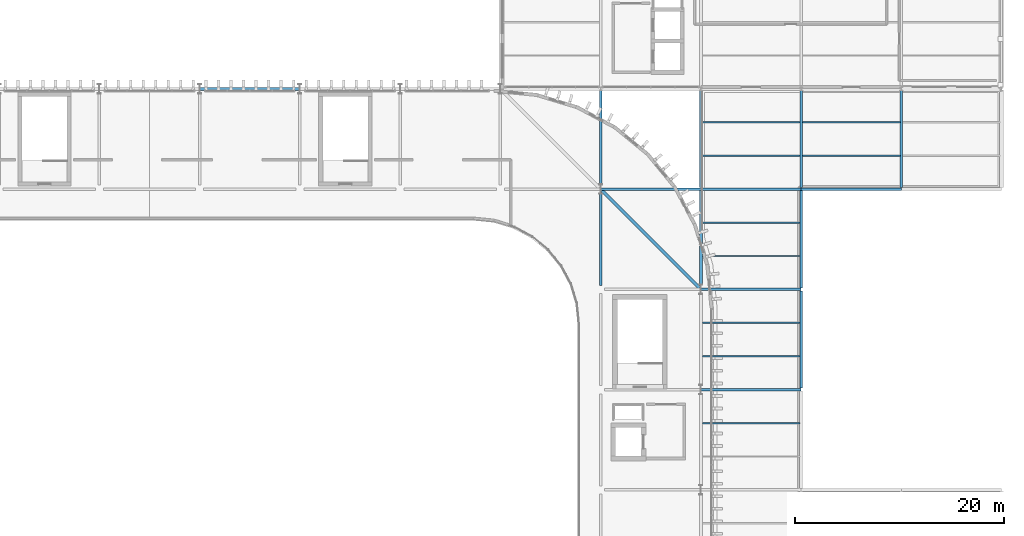
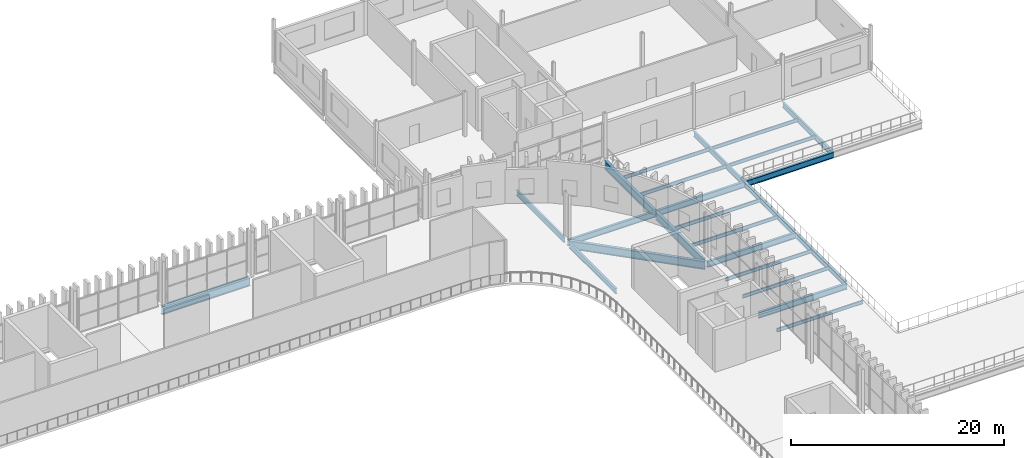
# One storey, part 22 of 45: 24 beams.
"""IFC4 building model written with IfcOpenShell, lengths in metres."""

from ifc_helpers import new_model, si_unit, direction, frame, origin, origin_2d, place, context, subcontext, project, spatial, i_section, extrude, material, material_profile, profile_set, type_object, element, save


model = new_model("IFC4")

# Units and contexts
model_context = context("Model", 3, precision=1e-05, world=origin(), true_north=direction((0.0, 1.0)))
body_context = subcontext(model_context, "Body", "Model", "MODEL_VIEW")
ifc_project = project(units=[si_unit("LENGTHUNIT", "METRE"), si_unit("AREAUNIT", "SQUARE_METRE"), si_unit("VOLUMEUNIT", "CUBIC_METRE"), si_unit("PLANEANGLEUNIT", "RADIAN"), si_unit("MASSUNIT", "GRAM", prefix="KILO")], contexts=[model_context])

# Site, building, storey
site_placement = place(None, origin())
site = spatial("IfcSite", under=ifc_project, at=site_placement, CompositionType="ELEMENT")
building_placement = place(site_placement, origin())
building = spatial("IfcBuilding", under=site, at=building_placement, Name="Caelomonte Colonnade Arena", CompositionType="ELEMENT")
storey_placement = place(building_placement, frame((0.0, 0.0, 23.10009765625)))
storey = spatial("IfcBuildingStorey", under=building, at=storey_placement, Name="L05", CompositionType="ELEMENT", Elevation=23.10009765625)

# Beams
ifc_material = material(Name="Wide-flange steel ASTM A992 Grade 50", Category="steel")
ifc_material_profile_1 = material_profile(ifc_material, i_section(OverallWidth=0.307861328125, OverallDepth=0.927001953125, WebThickness=0.019287109375, FlangeThickness=0.031982421875, FilletRadius=0.020263671875, at=origin_2d()), Name="W36X194")
ifc_profile_set_1 = profile_set([ifc_material_profile_1], Name="Wide-flange steel ASTM A992 Grade 50")
beam_type_1 = type_object("IfcBeamType", Name="STR-BM-EAVES2", PredefinedType="SPANDREL", material=ifc_profile_set_1)
beam_1_placement = place(storey_placement, frame((115.209716796875, 115.199951171875, -0.7236328125), z_axis=(1.0, 0.0, 0.0), x_axis=(0.0, 1.0, 0.0)))
element("IfcBeam", 1, at=beam_1_placement, inside=storey, type_object=beam_type_1, Name="L05 girder BMX-L05-1152-1152", PredefinedType="SPANDREL", context=body_context, shape_type="SweptSolid", body=[
    extrude(i_section(OverallWidth=0.307861328125, OverallDepth=0.927001953125, WebThickness=0.019287109375, FlangeThickness=0.031982421875, FilletRadius=0.020263671875, at=origin_2d()), origin(), (0.0, 0.0, 1.0), 9.58056640625),
])
beam_2_placement = place(storey_placement, frame((163.199951171875, 96.45556640625, -0.7236328125), z_axis=(0.0, 1.0, 0.0), x_axis=(-1.0, 0.0, 0.0)))
element("IfcBeam", 2, at=beam_2_placement, inside=storey, type_object=beam_type_1, Name="L05 girder BMY-L05-1632-0960", PredefinedType="SPANDREL", context=body_context, shape_type="SweptSolid", body=[
    extrude(i_section(OverallWidth=0.307861328125, OverallDepth=0.927001953125, WebThickness=0.019287109375, FlangeThickness=0.031982421875, FilletRadius=0.020263671875, at=origin_2d()), origin(), (0.0, 0.0, 1.0), 8.99853515625),
])
beam_3_placement = place(storey_placement, frame((163.199951171875, 105.745849609375, -0.7236328125), z_axis=(0.0, 1.0, 0.0), x_axis=(-1.0, 0.0, 0.0)))
element("IfcBeam", 3, at=beam_3_placement, inside=storey, type_object=beam_type_1, Name="L05 girder BMY-L05-1632-1056", PredefinedType="SPANDREL", context=body_context, shape_type="SweptSolid", body=[
    extrude(i_section(OverallWidth=0.307861328125, OverallDepth=0.927001953125, WebThickness=0.019287109375, FlangeThickness=0.031982421875, FilletRadius=0.020263671875, at=origin_2d()), origin(), (0.0, 0.0, 1.0), 9.308349609375),
])
beam_4_placement = place(storey_placement, frame((163.057861328125, 96.14208984375, -0.7236328125), z_axis=(-0.707106781187, 0.707106781187, 0.0), x_axis=(-0.707106781187, -0.707106781187, 0.0)))
element("IfcBeam", 4, at=beam_4_placement, inside=storey, type_object=beam_type_1, Name="L05 drum corner ring girder 5", PredefinedType="SPANDREL", context=body_context, shape_type="SweptSolid", body=[
    extrude(i_section(OverallWidth=0.307861328125, OverallDepth=0.927001953125, WebThickness=0.019287109375, FlangeThickness=0.031982421875, FilletRadius=0.020263671875, at=origin_2d()), origin(), (0.0, 0.0, 1.0), 13.17431640625),
])
ifc_material_profile_2 = material_profile(ifc_material, i_section(OverallWidth=0.227783203125, OverallDepth=0.60205078125, WebThickness=0.010498046875, FlangeThickness=0.014892578125, FilletRadius=0.0126953125, at=origin_2d()), Name="W24X68")
ifc_profile_set_2 = profile_set([ifc_material_profile_2], Name="Wide-flange steel ASTM A992 Grade 50")
beam_type_2 = type_object("IfcBeamType", Name="STR-BM-GIRD24B", PredefinedType="SPANDREL", material=ifc_profile_set_2)
beam_5_placement = place(storey_placement, frame((153.60009765625, 96.39208984375, -0.56103515625), z_axis=(0.0, 1.0, 0.0), x_axis=(-1.0, 0.0, 0.0)))
element("IfcBeam", 5, at=beam_5_placement, inside=storey, type_object=beam_type_2, Name="L05 girder BMY-L05-1536-0960", PredefinedType="SPANDREL", context=body_context, shape_type="SweptSolid", body=[
    extrude(i_section(OverallWidth=0.227783203125, OverallDepth=0.60205078125, WebThickness=0.010498046875, FlangeThickness=0.014892578125, FilletRadius=0.0126953125, at=origin_2d()), origin(), (0.0, 0.0, 1.0), 8.752197265625),
])
beam_6_placement = place(storey_placement, frame((153.60009765625, 106.055419921875, -0.56103515625), z_axis=(0.0, 1.0, 0.0), x_axis=(-1.0, 0.0, 0.0)))
element("IfcBeam", 6, at=beam_6_placement, inside=storey, type_object=beam_type_2, Name="L05 girder BMY-L05-1536-1056", PredefinedType="SPANDREL", context=body_context, shape_type="SweptSolid", body=[
    extrude(i_section(OverallWidth=0.227783203125, OverallDepth=0.60205078125, WebThickness=0.010498046875, FlangeThickness=0.014892578125, FilletRadius=0.0126953125, at=origin_2d()), origin(), (0.0, 0.0, 1.0), 8.998779296875),
])
for number, where, z_axis, x_axis, name in (
    (7, (172.800048828125, 86.5458984375, -0.56103515625), (0.0, 1.0, 0.0), (-1.0, 0.0, 0.0), "L05 girder BMY-L05-1728-0864"),
    (8, (172.800048828125, 96.14599609375, -0.56103515625), (0.0, 1.0, 0.0), (-1.0, 0.0, 0.0), "L05 girder BMY-L05-1728-0960"),
):
    element("IfcBeam", number, at=place(storey_placement, frame(where, z_axis=z_axis, x_axis=x_axis)), inside=storey, type_object=beam_type_2, Name=name, PredefinedType="SPANDREL", context=body_context, shape_type="SweptSolid", body=[
        extrude(i_section(OverallWidth=0.227783203125, OverallDepth=0.60205078125, WebThickness=0.010498046875, FlangeThickness=0.014892578125, FilletRadius=0.0126953125, at=origin_2d()), origin(), (0.0, 0.0, 1.0), 9.30810546875),
    ])
for number, where, z_axis, x_axis, name in (
    (9, (172.800048828125, 105.745849609375, -0.56103515625), (0.0, 1.0, 0.0), (-1.0, 0.0, 0.0), "L05 girder BMY-L05-1728-1056"),
    (10, (182.39990234375, 105.745849609375, -0.56103515625), (0.0, 1.0, 0.0), (-1.0, 0.0, 0.0), "L05 girder BMY-L05-1824-1056"),
):
    element("IfcBeam", number, at=place(storey_placement, frame(where, z_axis=z_axis, x_axis=x_axis)), inside=storey, type_object=beam_type_2, Name=name, PredefinedType="SPANDREL", context=body_context, shape_type="SweptSolid", body=[
        extrude(i_section(OverallWidth=0.227783203125, OverallDepth=0.60205078125, WebThickness=0.010498046875, FlangeThickness=0.014892578125, FilletRadius=0.0126953125, at=origin_2d()), origin(), (0.0, 0.0, 1.0), 9.308349609375),
    ])
ifc_material_profile_3 = material_profile(ifc_material, i_section(OverallWidth=0.2529296875, OverallDepth=0.67822265625, WebThickness=0.01171875, FlangeThickness=0.016357421875, FilletRadius=0.01513671875, at=origin_2d()), Name="W27X84")
ifc_profile_set_3 = profile_set([ifc_material_profile_3], Name="Wide-flange steel ASTM A992 Grade 50")
beam_type_3 = type_object("IfcBeamType", Name="STR-BM-GIRD27B", PredefinedType="BEAM", material=ifc_profile_set_3)
for number, where, z_axis, x_axis, name in (
    (11, (163.209716796875, 86.39990234375, -0.59912109375), (1.0, 0.0, 0.0), (0.0, 1.0, 0.0), "L05 girder BMX-L05-1632-0864"),
    (12, (163.209716796875, 96.0, -0.59912109375), (1.0, 0.0, 0.0), (0.0, 1.0, 0.0), "L05 girder BMX-L05-1632-0960"),
    (13, (153.609619140625, 105.60009765625, -0.59912109375), (1.0, 0.0, 0.0), (0.0, 1.0, 0.0), "L05 girder BMX-L05-1536-1056"),
):
    element("IfcBeam", number, at=place(storey_placement, frame(where, z_axis=z_axis, x_axis=x_axis)), inside=storey, type_object=beam_type_3, Name=name, PredefinedType="BEAM", context=body_context, shape_type="SweptSolid", body=[
        extrude(i_section(OverallWidth=0.2529296875, OverallDepth=0.67822265625, WebThickness=0.01171875, FlangeThickness=0.016357421875, FilletRadius=0.01513671875, at=origin_2d()), origin(), (0.0, 0.0, 1.0), 9.58544921875),
    ])
beam_7_placement = place(storey_placement, frame((163.204833984375, 105.60009765625, -0.59912109375), z_axis=(1.0, 0.0, 0.0), x_axis=(0.0, 1.0, 0.0)))
element("IfcBeam", 14, at=beam_7_placement, inside=storey, type_object=beam_type_3, Name="L05 girder BMX-L05-1632-1056", PredefinedType="BEAM", context=body_context, shape_type="SweptSolid", body=[
    extrude(i_section(OverallWidth=0.2529296875, OverallDepth=0.67822265625, WebThickness=0.01171875, FlangeThickness=0.016357421875, FilletRadius=0.01513671875, at=origin_2d()), origin(), (0.0, 0.0, 1.0), 9.59033203125),
])
beam_8_placement = place(storey_placement, frame((172.804931640625, 105.60009765625, -0.59912109375), z_axis=(1.0, 0.0, 0.0), x_axis=(0.0, 1.0, 0.0)))
element("IfcBeam", 15, at=beam_8_placement, inside=storey, type_object=beam_type_3, Name="L05 girder BMX-L05-1728-1056", PredefinedType="BEAM", context=body_context, shape_type="SweptSolid", body=[
    extrude(i_section(OverallWidth=0.2529296875, OverallDepth=0.67822265625, WebThickness=0.01171875, FlangeThickness=0.016357421875, FilletRadius=0.01513671875, at=origin_2d()), origin(), (0.0, 0.0, 1.0), 9.590087890625),
])
ifc_material_profile_4 = material_profile(ifc_material, i_section(OverallWidth=0.140380859375, OverallDepth=0.40380859375, WebThickness=0.007080078125, FlangeThickness=0.01123046875, FilletRadius=0.01025390625, at=origin_2d()), Name="W16X31")
ifc_profile_set_4 = profile_set([ifc_material_profile_4], Name="Wide-flange steel ASTM A992 Grade 50")
beam_type_4 = type_object("IfcBeamType", Name="STR-BM-JOIST16B", PredefinedType="JOIST", material=ifc_profile_set_4)
for number, where, z_axis, x_axis, name in (
    (16, (163.348876953125, 83.199951171875, -0.462158203125), (1.0, 0.0, 0.0), (0.0, 1.0, 0.0), "L05 secondary joist 2"),
    (17, (163.348876953125, 89.60009765625, -0.462158203125), (1.0, 0.0, 0.0), (0.0, 1.0, 0.0), "L05 secondary joist 1"),
    (18, (163.348876953125, 92.800048828125, -0.462158203125), (1.0, 0.0, 0.0), (0.0, 1.0, 0.0), "L05 secondary joist 2"),
    (19, (163.348876953125, 99.199951171875, -0.462158203125), (1.0, 0.0, 0.0), (0.0, 1.0, 0.0), "L05 secondary joist 1"),
    (20, (163.348876953125, 102.39990234375, -0.462158203125), (1.0, 0.0, 0.0), (0.0, 1.0, 0.0), "L05 secondary joist 2"),
    (21, (163.348876953125, 108.800048828125, -0.462158203125), (1.0, 0.0, 0.0), (0.0, 1.0, 0.0), "L05 secondary joist 1"),
    (22, (163.348876953125, 112.0, -0.462158203125), (1.0, 0.0, 0.0), (0.0, 1.0, 0.0), "L05 secondary joist 2"),
):
    element("IfcBeam", number, at=place(storey_placement, frame(where, z_axis=z_axis, x_axis=x_axis)), inside=storey, type_object=beam_type_4, Name=name, PredefinedType="JOIST", context=body_context, shape_type="SweptSolid", body=[
        extrude(i_section(OverallWidth=0.140380859375, OverallDepth=0.40380859375, WebThickness=0.007080078125, FlangeThickness=0.01123046875, FilletRadius=0.01025390625, at=origin_2d()), origin(), (0.0, 0.0, 1.0), 9.34228515625),
    ])
for number, where, z_axis, x_axis, name in (
    (23, (172.908935546875, 108.800048828125, -0.462158203125), (1.0, 0.0, 0.0), (0.0, 1.0, 0.0), "L05 secondary joist 1"),
    (24, (172.908935546875, 112.0, -0.462158203125), (1.0, 0.0, 0.0), (0.0, 1.0, 0.0), "L05 secondary joist 2"),
):
    element("IfcBeam", number, at=place(storey_placement, frame(where, z_axis=z_axis, x_axis=x_axis)), inside=storey, type_object=beam_type_4, Name=name, PredefinedType="JOIST", context=body_context, shape_type="SweptSolid", body=[
        extrude(i_section(OverallWidth=0.140380859375, OverallDepth=0.40380859375, WebThickness=0.007080078125, FlangeThickness=0.01123046875, FilletRadius=0.01025390625, at=origin_2d()), origin(), (0.0, 0.0, 1.0), 9.382080078125),
    ])

save(model, "model.ifc")
